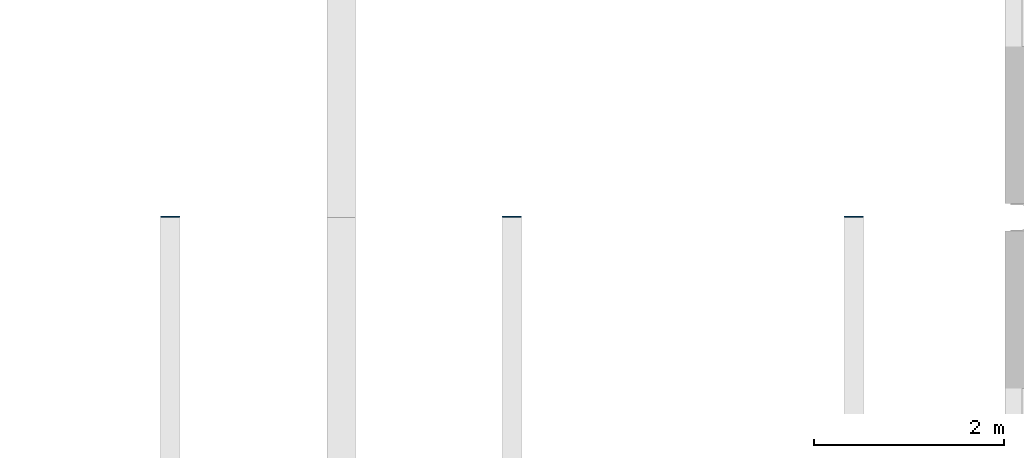
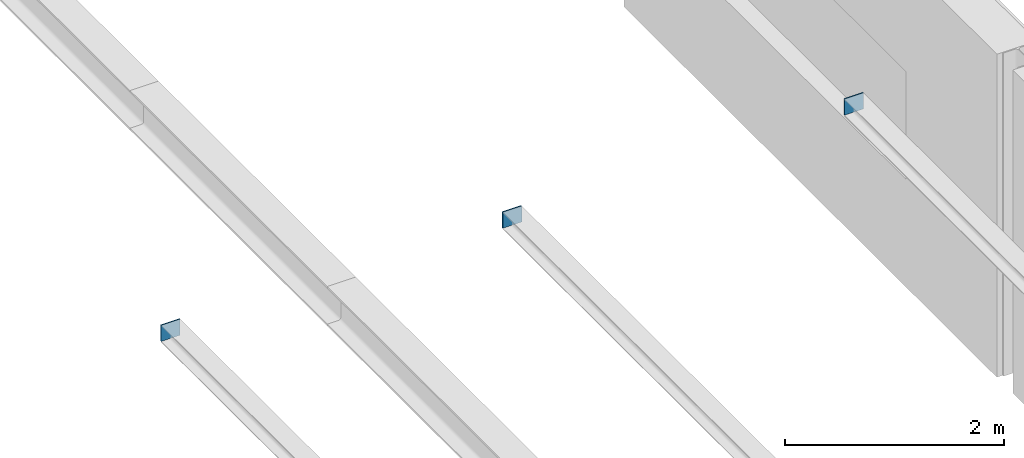
# One storey, part 62 of 110: 3 discrete accessories.
"""IFC4 building model written with IfcOpenShell, lengths in metres."""

import ifcopenshell
import ifcopenshell.guid

model = None  # the IFC model being written
_history = None  # IfcOwnerHistory: only IFC2X3 demands one
_inside = {}  # id of a spatial element -> (the spatial element, [elements in it])
_under = {}  # id of a project, library or spatial element -> (it, [spatial elements below it])
_declared = {}  # id of a project -> (the project, [libraries it declares])
_typed = {}  # id of a type object -> (the type object, [elements of that type])
_made_of = {}  # id of a material, layer set ... -> (it, [elements and type objects made of it])


def new_model(schema):
    """Start an empty IFC model of exactly this schema.

    Asked for "IFC4X3", IfcOpenShell would pick the latest addendum, in which some entities
    have other attributes; the version numbers below select the first issue.
    IFC2X3 requires an IfcOwnerHistory on every rooted entity: one is made here for all.
    """
    global model, _history
    if schema == "IFC4X3":
        model = ifcopenshell.file(schema_version=(4, 3, 0, 0))
    else:
        model = ifcopenshell.file(schema=schema)
    _inside.clear()
    _under.clear()
    _declared.clear()
    _typed.clear()
    _made_of.clear()
    _history = None
    if model.schema == "IFC2X3":
        org = make("IfcOrganization", Name="unknown")
        user = make(
            "IfcPersonAndOrganization",
            ThePerson=make("IfcPerson", FamilyName="unknown"),
            TheOrganization=org,
        )
        app = make(
            "IfcApplication",
            ApplicationDeveloper=org,
            Version="unknown",
            ApplicationFullName="unknown",
            ApplicationIdentifier="unknown",
        )
        _history = make(
            "IfcOwnerHistory",
            OwningUser=user,
            OwningApplication=app,
            ChangeAction="ADDED",
            CreationDate=0,
        )
    return model


def make(cls, **values):
    """One entity of the class cls with the attributes given. An attribute that is None is left unset."""
    return model.create_entity(
        cls, **{name: value for name, value in values.items() if value is not None}
    )


def rooted(cls, **values):
    """An entity with a GlobalId (a new one), such as an element, a storey or a relation."""
    return make(cls, GlobalId=ifcopenshell.guid.new(), OwnerHistory=_history, **values)


def si_unit(unit_type, name, prefix=None):
    """IfcSIUnit, for example si_unit("LENGTHUNIT", "METRE", prefix="MILLI")."""
    return make("IfcSIUnit", UnitType=unit_type, Prefix=prefix, Name=name)


def assignment(units):
    """IfcUnitAssignment: the units of a project."""
    return None if units is None else make("IfcUnitAssignment", Units=units)


def point(xyz):
    """IfcCartesianPoint."""
    return None if xyz is None else make("IfcCartesianPoint", Coordinates=xyz)


def direction(xyz):
    """IfcDirection."""
    return None if xyz is None else make("IfcDirection", DirectionRatios=xyz)


def frame(location, z_axis=None, x_axis=None):
    """IfcAxis2Placement3D, a coordinate frame: its origin and axes. An axis left out is left unset."""
    return make(
        "IfcAxis2Placement3D",
        Location=point(location),
        Axis=direction(z_axis),
        RefDirection=direction(x_axis),
    )


def frame_2d(location, x_axis=None):
    """IfcAxis2Placement2D, a coordinate frame in the plane: its origin and x axis."""
    return make(
        "IfcAxis2Placement2D", Location=point(location), RefDirection=direction(x_axis)
    )


def origin():
    """The frame at (0, 0, 0) with its axes left unset."""
    return frame((0.0, 0.0, 0.0))


def origin_2d():
    """The frame at (0, 0) in the plane with its x axis left unset."""
    return frame_2d((0.0, 0.0))


def place(relative_to, where):
    """IfcLocalPlacement: puts the frame where relative to a parent placement (None: the world)."""
    return make(
        "IfcLocalPlacement", PlacementRelTo=relative_to, RelativePlacement=where
    )


def context(
    kind, dimensions, precision=None, world=None, true_north=None, identifier=None
):
    """IfcGeometricRepresentationContext, for example the 3D "Model" context."""
    return make(
        "IfcGeometricRepresentationContext",
        ContextIdentifier=identifier,
        ContextType=kind,
        CoordinateSpaceDimension=dimensions,
        Precision=precision,
        WorldCoordinateSystem=world,
        TrueNorth=true_north,
    )


def subcontext(parent, identifier, kind, view, scale=None):
    """IfcGeometricRepresentationSubContext, for example "Body" below "Model"."""
    return make(
        "IfcGeometricRepresentationSubContext",
        ContextIdentifier=identifier,
        ContextType=kind,
        ParentContext=parent,
        TargetScale=scale,
        TargetView=view,
    )


def project(units=None, contexts=None):
    """IfcProject with its units and contexts."""
    return rooted(
        "IfcProject",
        Name="project",
        RepresentationContexts=contexts,
        UnitsInContext=assignment(units),
    )


def spatial(cls, under=None, at=None, **own):
    """A site, building, storey or space (cls), placed at a placement, below another one or the project."""
    s = rooted(cls, ObjectPlacement=at, **own)
    if under is not None:
        _under.setdefault(under.id(), (under, []))[1].append(s)
    return s


def profile(cls, at=None, kind="AREA", **sizes):
    """A parametric profile (cls). Its sizes go by their IFC names, for example OverallWidth=200.0."""
    return make(cls, ProfileType=kind, Position=at, **sizes)


def rectangle(**sizes):
    """IfcRectangleProfileDef."""
    return profile("IfcRectangleProfileDef", **sizes)


def extrude(swept, where, along, depth):
    """IfcExtrudedAreaSolid: the profile swept, set in the frame where, extruded along a direction by depth."""
    return make(
        "IfcExtrudedAreaSolid",
        SweptArea=swept,
        Position=where,
        ExtrudedDirection=direction(along),
        Depth=depth,
    )


def shape(context_of_items, identifier, shape_type, items):
    """IfcShapeRepresentation: the items that make up one representation, for example the "Body"."""
    return make(
        "IfcShapeRepresentation",
        ContextOfItems=context_of_items,
        RepresentationIdentifier=identifier,
        RepresentationType=shape_type,
        Items=items,
    )


def material(Name=None, Category=None):
    """IfcMaterial."""
    return make("IfcMaterial", Name=Name, Category=Category)


def layer(
    of_material, thickness, ventilated=None, Name=None, Category=None, Priority=None
):
    """IfcMaterialLayer: one layer of a wall or slab, of a material (None: an air gap)."""
    return make(
        "IfcMaterialLayer",
        Material=of_material,
        LayerThickness=thickness,
        IsVentilated=ventilated,
        Name=Name,
        Category=Category,
        Priority=Priority,
    )


def layer_set(layers, Name=None):
    """IfcMaterialLayerSet."""
    return make("IfcMaterialLayerSet", MaterialLayers=layers, LayerSetName=Name)


def made_of(thing, what):
    """Note that an element or type object is made of a material, layer set ...; save() writes the relation."""
    if what is not None:
        _made_of.setdefault(what.id(), (what, []))[1].append(thing)
    return thing


def type_object(cls, material=None, **own):
    """A type object (cls), such as IfcWallType, which elements share."""
    return made_of(rooted(cls, **own), material)


def element(
    cls,
    number,
    at=None,
    inside=None,
    cuts=None,
    type_object=None,
    material=None,
    context=None,
    identifier="Body",
    shape_type=None,
    held_by="IfcProductDefinitionShape",
    body=None,
    shapes=None,
    **own,
):
    """One element of the class cls, such as IfcWall. Its Tag is "e" and its number.

    at: its placement. inside: the storey or other place that contains it. cuts: it is an
    opening in that element (IfcRelVoidsElement). A single representation is given by context,
    identifier, shape_type and body (its items); several are given by shapes. held_by: the class
    of the entity that holds the representations. save() writes the other relations.
    """
    e = rooted(cls, Tag="e%d" % number, ObjectPlacement=at, **own)
    if body is not None:
        shapes = [shape(context, identifier, shape_type, body)]
    if shapes is not None:
        e.Representation = make(held_by, Representations=shapes)
    if inside is not None:
        _inside.setdefault(inside.id(), (inside, []))[1].append(e)
    if cuts is not None:
        rooted(
            "IfcRelVoidsElement", RelatingBuildingElement=cuts, RelatedOpeningElement=e
        )
    if type_object is not None:
        _typed.setdefault(type_object.id(), (type_object, []))[1].append(e)
    return made_of(e, material)


def aggregate(whole, parts):
    """IfcRelAggregates: a whole, such as a stair, and the parts it consists of."""
    return rooted("IfcRelAggregates", RelatingObject=whole, RelatedObjects=parts)


def save(model, path):
    """Write the relations noted so far, then the file.

    IfcRelAggregates (storeys below a building ...), IfcRelContainedInSpatialStructure (elements
    in a storey), IfcRelDefinesByType, IfcRelAssociatesMaterial and IfcRelDeclares: one each for
    every whole, place, type object, material and project.
    """
    for whole, parts in _under.values():
        aggregate(whole, parts)
    for where, things in _inside.values():
        rooted(
            "IfcRelContainedInSpatialStructure",
            RelatedElements=things,
            RelatingStructure=where,
        )
    for kind, things in _typed.values():
        rooted("IfcRelDefinesByType", RelatedObjects=things, RelatingType=kind)
    for what, things in _made_of.values():
        rooted("IfcRelAssociatesMaterial", RelatedObjects=things, RelatingMaterial=what)
    for by, libraries in _declared.values():
        rooted("IfcRelDeclares", RelatingContext=by, RelatedDefinitions=libraries)
    model.write(path)


model = new_model("IFC4")

# Units and contexts
model_context = context("Model", 3, precision=1e-05, world=origin(), true_north=direction((0.0, 1.0)))
body_context = subcontext(model_context, "Body", "Model", "MODEL_VIEW")
ifc_project = project(units=[si_unit("LENGTHUNIT", "METRE"), si_unit("AREAUNIT", "SQUARE_METRE"), si_unit("VOLUMEUNIT", "CUBIC_METRE"), si_unit("PLANEANGLEUNIT", "RADIAN"), si_unit("MASSUNIT", "GRAM", prefix="KILO")], contexts=[model_context])

# Site, building, storey
site_placement = place(None, origin())
site = spatial("IfcSite", under=ifc_project, at=site_placement, CompositionType="ELEMENT")
building_placement = place(site_placement, origin())
building = spatial("IfcBuilding", under=site, at=building_placement, Name="Kupolbacken Congress Centre", CompositionType="ELEMENT")
storey_placement = place(building_placement, frame((0.0, 0.0, 18.0)))
storey = spatial("IfcBuildingStorey", under=building, at=storey_placement, Name="L05", CompositionType="ELEMENT", Elevation=18.0)

# Discrete accessories
ifc_material = material(Name="Steel S355", Category="steel")
ifc_layer = layer(ifc_material, 0.011962890625)
ifc_layer_set = layer_set([ifc_layer], Name="Steel S355")
discrete_accessory_type = type_object("IfcDiscreteAccessoryType", Name="BK3 bracket end plate 200 x 180 x 12", PredefinedType="BRACKET", material=ifc_layer_set)
for number, where, z_axis, x_axis, name in (
    (1, (192.60009765625, 50.406005859375, 3.60009765625), (0.0, 0.0, 1.0), (1.0, 0.0, 0.0), "Eave bracket end plate S30"),
    (2, (196.199951171875, 50.406005859375, 3.60009765625), (0.0, 0.0, 1.0), (1.0, 0.0, 0.0), "Eave bracket end plate S31"),
    (3, (199.800048828125, 50.406005859375, 3.60009765625), (0.0, 0.0, 1.0), (1.0, 0.0, 0.0), "Eave bracket end plate S32"),
):
    element("IfcDiscreteAccessory", number, at=place(storey_placement, frame(where, z_axis=z_axis, x_axis=x_axis)), inside=storey, type_object=discrete_accessory_type, Name=name, PredefinedType="BRACKET", context=body_context, shape_type="SweptSolid", body=[
        extrude(rectangle(XDim=0.199951171875, YDim=0.011962890625, at=origin_2d()), origin(), (0.0, 0.0, 1.0), 0.179931640625),
    ])

save(model, "model.ifc")
